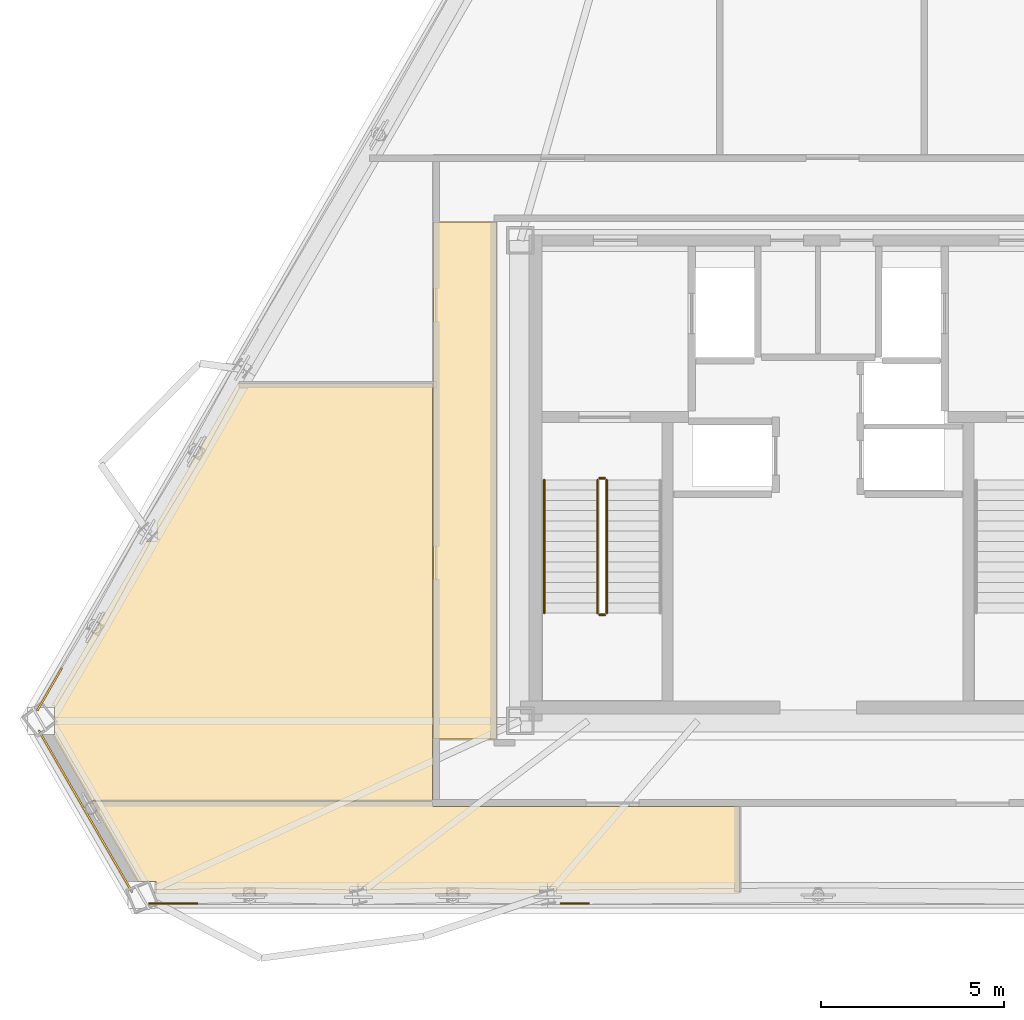
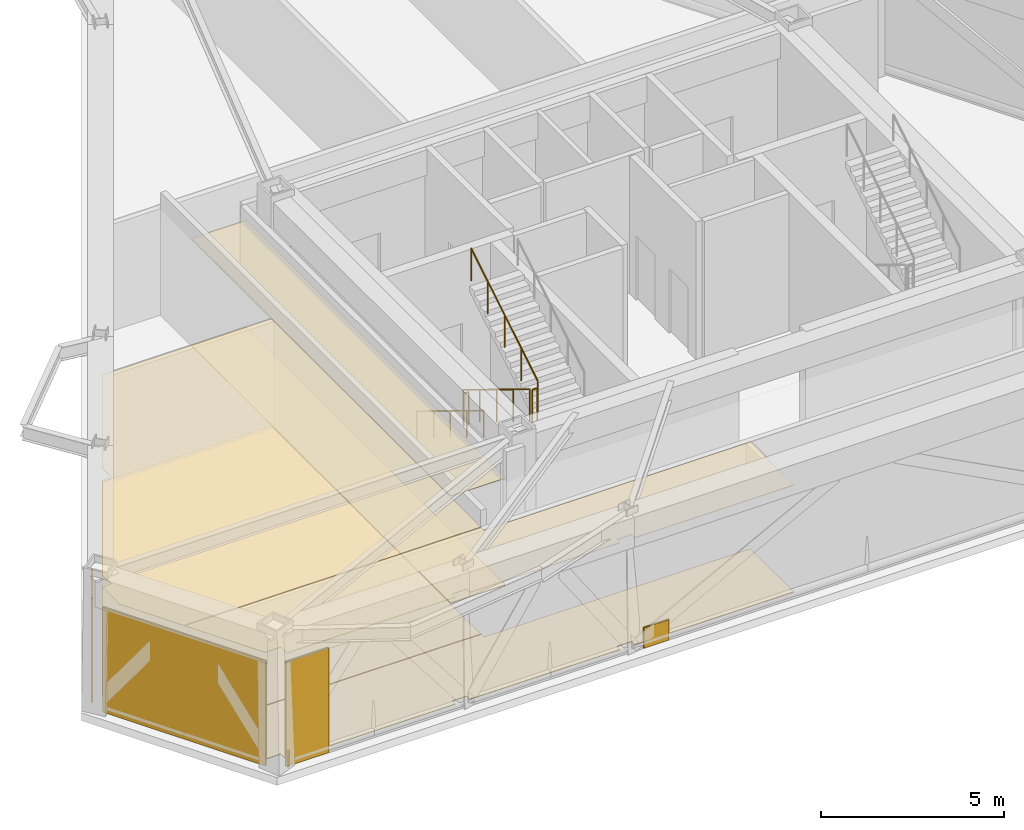
# One storey, part 8 of 10: 10 coverings, 5 railings.
"""IFC4 building model written with IfcOpenShell, lengths in metres."""

from ifc_helpers import new_model, si_unit, direction, frame, origin, origin_2d, place, context, subcontext, project, spatial, polyline, rectangle, circle, outline, extrude, material, layer, layer_set, type_object, element, save


model = new_model("IFC4")

# Units and contexts
model_context = context("Model", 3, precision=1e-05, world=origin(), true_north=direction((0.0, 1.0)))
body_context = subcontext(model_context, "Body", "Model", "MODEL_VIEW")
ifc_project = project(units=[si_unit("LENGTHUNIT", "METRE"), si_unit("AREAUNIT", "SQUARE_METRE"), si_unit("VOLUMEUNIT", "CUBIC_METRE"), si_unit("PLANEANGLEUNIT", "RADIAN"), si_unit("MASSUNIT", "GRAM", prefix="KILO")], contexts=[model_context])

# Site, building, storey
site_placement = place(None, origin())
site = spatial("IfcSite", under=ifc_project, at=site_placement, CompositionType="ELEMENT")
building_placement = place(site_placement, origin())
building = spatial("IfcBuilding", under=site, at=building_placement, Name="Oramaril Tower", CompositionType="ELEMENT")
storey_placement = place(building_placement, frame((0.0, 0.0, 245.10009765625)))
storey = spatial("IfcBuildingStorey", under=building, at=storey_placement, Name="L65", CompositionType="ELEMENT", Elevation=245.10009765625)

# Coverings
ifc_material_1 = material(Name="Mineral Fibre Acoustic Ceiling")
ifc_layer_1 = layer(ifc_material_1, 0.02001953125)
ifc_layer_set_1 = layer_set([ifc_layer_1], Name="CVT-CEIL")
covering_type_1 = type_object("IfcCoveringType", Name="CVT-CEIL", PredefinedType="CEILING", material=ifc_layer_set_1)
covering_1_placement = place(storey_placement, frame((0.0, 0.0, 3.56201171875)))
element("IfcCovering", 1, at=covering_1_placement, inside=storey, type_object=covering_type_1, Name="L65 Acoustic Suspended Ceiling 3", PredefinedType="CEILING", context=body_context, shape_type="SweptSolid", body=[
    extrude(outline(polyline([(28.699951171875, 10.5), (26.969970703125, 10.5), (26.969970703125, 24.64990234375), (28.699951171875, 24.64990234375), (28.699951171875, 10.5)])), origin(), (0.0, 0.0, 1.0), 0.019775390625),
])
covering_2_placement = place(storey_placement, frame((0.0, 0.0, 3.56201171875)))
element("IfcCovering", 2, at=covering_2_placement, inside=storey, type_object=covering_type_1, Name="L65 Acoustic Suspended Ceiling 4", PredefinedType="CEILING", context=body_context, shape_type="SweptSolid", body=[
    extrude(outline(polyline([(35.342041015625, 6.276123046875), (30.319091796875, 6.276123046875), (30.319091796875, 6.449951171875), (29.8701171875, 6.449951171875), (29.8701171875, 6.276123046875), (25.138916015625, 6.276123046875), (25.138916015625, 6.449951171875), (24.6826171875, 6.449951171875), (24.6826171875, 6.276123046875), (19.368896484375, 6.276123046875), (19.368896484375, 6.6005859375), (18.8740234375, 6.6005859375), (17.608642578125, 8.7919921875), (26.949951171875, 8.7919921875), (26.949951171875, 8.669921875), (26.9501953125, 8.66796875), (26.950439453125, 8.666015625), (26.950927734375, 8.664306640625), (26.951416015625, 8.662353515625), (26.952392578125, 8.66064453125), (26.953369140625, 8.658935546875), (26.95458984375, 8.6572265625), (26.955810546875, 8.656005859375), (26.957275390625, 8.654541015625), (26.958984375, 8.6533203125), (26.960693359375, 8.65234375), (26.96240234375, 8.651611328125), (26.964111328125, 8.65087890625), (26.966064453125, 8.650390625), (26.968017578125, 8.650146484375), (26.969970703125, 8.64990234375), (35.342041015625, 8.64990234375), (35.342041015625, 6.276123046875)])), origin(), (0.0, 0.0, 1.0), 0.019775390625),
])
covering_3_placement = place(storey_placement, frame((0.0, 0.0, 3.56201171875)))
element("IfcCovering", 3, at=covering_3_placement, inside=storey, type_object=covering_type_1, Name="L65 Acoustic Suspended Ceiling 6", PredefinedType="CEILING", context=body_context, shape_type="SweptSolid", body=[
    extrude(outline(polyline([(16.552978515625, 10.62060546875), (16.595703125, 10.62060546875), (16.595703125, 11.41357421875), (16.5224609375, 11.41357421875), (19.11572265625, 15.9052734375), (19.4091796875, 15.9052734375), (19.4091796875, 16.39013671875), (19.39599609375, 16.39013671875), (21.61962890625, 20.241943359375), (26.949951171875, 20.241943359375), (26.949951171875, 10.5), (26.9501953125, 10.498046875), (26.950439453125, 10.49609375), (26.950927734375, 10.494140625), (26.951416015625, 10.4921875), (26.952392578125, 10.490478515625), (26.95263671875, 10.489990234375), (26.952392578125, 10.489501953125), (26.951416015625, 10.48779296875), (26.950927734375, 10.48583984375), (26.950439453125, 10.48388671875), (26.9501953125, 10.48193359375), (26.949951171875, 10.47998046875), (26.949951171875, 8.81201171875), (17.608642578125, 8.81201171875), (17.606689453125, 8.81201171875), (17.604736328125, 8.8115234375), (17.602783203125, 8.81103515625), (17.60107421875, 8.810302734375), (17.59912109375, 8.8095703125), (17.598876953125, 8.809326171875), (16.552978515625, 10.62060546875)])), origin(), (0.0, 0.0, 1.0), 0.019775390625),
])
ifc_material_2 = material(Name="Warm Cream Limestone", Category="masonry")
ifc_layer_2 = layer(ifc_material_2, 0.050048828125)
ifc_layer_set_2 = layer_set([ifc_layer_2], Name="CVT-CLD")
covering_type_2 = type_object("IfcCoveringType", Name="CVT-CLD", PredefinedType="CLADDING", material=ifc_layer_set_2)
covering_4_placement = place(storey_placement, frame((17.446044921875, 8.52197265625, 0.0400390625), z_axis=(0.0, 0.0, 1.0), x_axis=(0.499992442484, -0.866029767075, 0.0)))
element("IfcCovering", 4, at=covering_4_placement, inside=storey, type_object=covering_type_2, Name="L65 Warm Cream Limestone Cladding", PredefinedType="CLADDING", context=body_context, shape_type="SweptSolid", body=[
    extrude(rectangle(XDim=5.12939453125, YDim=0.050048828125, at=origin_2d()), origin(), (0.0, 0.0, 1.0), 3.489990234375),
])
covering_5_placement = place(storey_placement, frame((19.848876953125, 6.000244140625, 0.0400390625), z_axis=(0.0, 0.0, 1.0), x_axis=(1.0, 0.0, 0.0)))
element("IfcCovering", 5, at=covering_5_placement, inside=storey, type_object=covering_type_2, Name="L65 Warm Cream Limestone Cladding", PredefinedType="CLADDING", context=body_context, shape_type="SweptSolid", body=[
    extrude(rectangle(XDim=1.35009765625, YDim=0.050048828125, at=origin_2d()), origin(), (0.0, 0.0, 1.0), 3.489990234375),
])
covering_6_placement = place(storey_placement, frame((30.839599609375, 6.000244140625, 0.0400390625), z_axis=(0.0, 0.0, 1.0), x_axis=(1.0, 0.0, 0.0)))
element("IfcCovering", 6, at=covering_6_placement, inside=storey, type_object=covering_type_2, Name="L65 Warm Cream Limestone Spandrel Cladding", PredefinedType="CLADDING", context=body_context, shape_type="SweptSolid", body=[
    extrude(rectangle(XDim=0.800048828125, YDim=0.050048828125, at=origin_2d()), origin(), (0.0, 0.0, 1.0), 0.679931640625),
])
covering_7_placement = place(storey_placement, frame((16.463623046875, 11.863525390625, 0.0400390625), z_axis=(0.0, 0.0, 1.0), x_axis=(-0.5, -0.866025403784, 0.0)))
element("IfcCovering", 7, at=covering_7_placement, inside=storey, type_object=covering_type_2, Name="L65 Warm Cream Limestone Cladding", PredefinedType="CLADDING", context=body_context, shape_type="SweptSolid", body=[
    extrude(rectangle(XDim=1.35009765625, YDim=0.050048828125, at=origin_2d()), origin(), (0.0, 0.0, 1.0), 3.489990234375),
])
ifc_material_3 = material(Name="Honed Quartzite Stone Flooring", Category="masonry")
ifc_layer_3 = layer(ifc_material_3, 0.02490234375)
ifc_layer_set_3 = layer_set([ifc_layer_3], Name="CVT-FLR")
covering_type_3 = type_object("IfcCoveringType", Name="CVT-FLR", PredefinedType="FLOORING", material=ifc_layer_set_3)
covering_8_placement = place(storey_placement, origin())
element("IfcCovering", 8, at=covering_8_placement, inside=storey, type_object=covering_type_3, Name="L65 Honed Stone Floor Finish 3", PredefinedType="FLOORING", context=body_context, shape_type="SweptSolid", body=[
    extrude(outline(polyline([(28.699951171875, 10.5), (26.969970703125, 10.5), (26.969970703125, 24.64990234375), (28.699951171875, 24.64990234375), (28.699951171875, 10.5)])), origin(), (0.0, 0.0, 1.0), 0.02490234375),
])
covering_9_placement = place(storey_placement, origin())
element("IfcCovering", 9, at=covering_9_placement, inside=storey, type_object=covering_type_3, Name="L65 Honed Stone Floor Finish 4", PredefinedType="FLOORING", context=body_context, shape_type="SweptSolid", body=[
    extrude(outline(polyline([(35.342041015625, 6.276123046875), (30.319091796875, 6.276123046875), (30.319091796875, 6.449951171875), (29.8701171875, 6.449951171875), (29.8701171875, 6.276123046875), (25.138916015625, 6.276123046875), (25.138916015625, 6.449951171875), (24.6826171875, 6.449951171875), (24.6826171875, 6.276123046875), (19.368896484375, 6.276123046875), (19.368896484375, 6.6005859375), (18.8740234375, 6.6005859375), (17.608642578125, 8.7919921875), (26.949951171875, 8.7919921875), (26.949951171875, 8.669921875), (26.9501953125, 8.66796875), (26.950439453125, 8.666015625), (26.950927734375, 8.664306640625), (26.951416015625, 8.662353515625), (26.952392578125, 8.66064453125), (26.953369140625, 8.658935546875), (26.95458984375, 8.6572265625), (26.955810546875, 8.656005859375), (26.957275390625, 8.654541015625), (26.958984375, 8.6533203125), (26.960693359375, 8.65234375), (26.96240234375, 8.651611328125), (26.964111328125, 8.65087890625), (26.966064453125, 8.650390625), (26.968017578125, 8.650146484375), (26.969970703125, 8.64990234375), (35.342041015625, 8.64990234375), (35.342041015625, 6.276123046875)])), origin(), (0.0, 0.0, 1.0), 0.02490234375),
])
covering_10_placement = place(storey_placement, origin())
element("IfcCovering", 10, at=covering_10_placement, inside=storey, type_object=covering_type_3, Name="L65 Honed Stone Floor Finish 6", PredefinedType="FLOORING", context=body_context, shape_type="SweptSolid", body=[
    extrude(outline(polyline([(16.552978515625, 10.62060546875), (16.595703125, 10.62060546875), (16.595703125, 11.41357421875), (16.5224609375, 11.41357421875), (19.11572265625, 15.9052734375), (19.4091796875, 15.9052734375), (19.4091796875, 16.39013671875), (19.39599609375, 16.39013671875), (21.61962890625, 20.241943359375), (26.949951171875, 20.241943359375), (26.949951171875, 10.5), (26.9501953125, 10.498046875), (26.950439453125, 10.49609375), (26.950927734375, 10.494140625), (26.951416015625, 10.4921875), (26.952392578125, 10.490478515625), (26.95263671875, 10.489990234375), (26.952392578125, 10.489501953125), (26.951416015625, 10.48779296875), (26.950927734375, 10.48583984375), (26.950439453125, 10.48388671875), (26.9501953125, 10.48193359375), (26.949951171875, 10.47998046875), (26.949951171875, 8.81201171875), (17.608642578125, 8.81201171875), (17.606689453125, 8.81201171875), (17.604736328125, 8.8115234375), (17.602783203125, 8.81103515625), (17.60107421875, 8.810302734375), (17.59912109375, 8.8095703125), (17.598876953125, 8.809326171875), (16.552978515625, 10.62060546875)])), origin(), (0.0, 0.0, 1.0), 0.02490234375),
])

# Railings
ifc_material_4 = material(Name="Stainless Steel 316L", Category="steel")
railing_type_1 = type_object("IfcRailingType", Name="RLT-GRD", PredefinedType="GUARDRAIL", material=ifc_material_4)
railing_1_placement = place(storey_placement, frame((31.4599609375, 17.590087890625, 0.17138671875)))
element("IfcRailing", 11, at=railing_1_placement, inside=storey, type_object=railing_type_1, Name="L65 ST-1 stair guard 1", PredefinedType="GUARDRAIL", context=body_context, shape_type="SweptSolid", body=[
    extrude(circle(Radius=0.02392578125, at=origin_2d()), frame((0.0, 0.0, 1.076171875), z_axis=(0.0, -0.852865859571, 0.52213008492), x_axis=(1.0, 0.0, 0.0)), (0.0, 0.0, 1.0), 4.26806640625),
    extrude(circle(Radius=0.02099609375, at=origin_2d()), origin(), (0.0, 0.0, 1.0), 1.052001953125),
    extrude(circle(Radius=0.02099609375, at=origin_2d()), frame((0.0, -0.91015625, 0.55712890625)), (0.0, 0.0, 1.0), 1.052001953125),
    extrude(circle(Radius=0.02099609375, at=origin_2d()), frame((0.0, -1.820068359375, 1.1142578125)), (0.0, 0.0, 1.0), 1.052001953125),
    extrude(circle(Radius=0.02099609375, at=origin_2d()), frame((0.0, -2.72998046875, 1.67138671875)), (0.0, 0.0, 1.0), 1.052001953125),
    extrude(circle(Radius=0.02099609375, at=origin_2d()), frame((0.0, -3.64013671875, 2.228515625)), (0.0, 0.0, 1.0), 1.052001953125),
])
railing_2_placement = place(storey_placement, frame((31.510009765625, 13.89990234375, 2.39990234375)))
element("IfcRailing", 12, at=railing_2_placement, inside=storey, type_object=railing_type_1, Name="L65 ST-1 stair guard 2", PredefinedType="GUARDRAIL", context=body_context, shape_type="SweptSolid", body=[
    extrude(circle(Radius=0.02392578125, at=origin_2d()), frame((0.0, 0.0, 1.076171875), z_axis=(1.0, 0.0, 0.0), x_axis=(0.0, 1.0, 0.0)), (0.0, 0.0, 1.0), 0.14990234375),
    extrude(circle(Radius=0.02099609375, at=origin_2d()), origin(), (0.0, 0.0, 1.0), 1.052001953125),
    extrude(circle(Radius=0.02099609375, at=origin_2d()), frame((0.14990234375, 0.0, 0.0)), (0.0, 0.0, 1.0), 1.052001953125),
])
railing_3_placement = place(storey_placement, frame((31.7099609375, 13.949951171875, 2.5712890625)))
element("IfcRailing", 13, at=railing_3_placement, inside=storey, type_object=railing_type_1, Name="L65 ST-1 stair guard 3", PredefinedType="GUARDRAIL", context=body_context, shape_type="SweptSolid", body=[
    extrude(circle(Radius=0.02392578125, at=origin_2d()), frame((0.0, 0.0, 1.076171875), z_axis=(0.0, 0.852865859571, 0.52213008492), x_axis=(-1.0, 0.0, 0.0)), (0.0, 0.0, 1.0), 4.26806640625),
    extrude(circle(Radius=0.02099609375, at=origin_2d()), origin(), (0.0, 0.0, 1.0), 1.052001953125),
    extrude(circle(Radius=0.02099609375, at=origin_2d()), frame((0.0, 0.91015625, 0.55712890625)), (0.0, 0.0, 1.0), 1.052001953125),
    extrude(circle(Radius=0.02099609375, at=origin_2d()), frame((0.0, 1.820068359375, 1.1142578125)), (0.0, 0.0, 1.0), 1.052001953125),
    extrude(circle(Radius=0.02099609375, at=origin_2d()), frame((0.0, 2.72998046875, 1.67138671875)), (0.0, 0.0, 1.0), 1.052001953125),
    extrude(circle(Radius=0.02099609375, at=origin_2d()), frame((0.0, 3.64013671875, 2.228515625)), (0.0, 0.0, 1.0), 1.052001953125),
])
railing_4_placement = place(storey_placement, frame((31.510009765625, 17.639892578125, 0.0)))
element("IfcRailing", 14, at=railing_4_placement, inside=storey, type_object=railing_type_1, Name="L65 ST-1 stair guard 4", PredefinedType="GUARDRAIL", context=body_context, shape_type="SweptSolid", body=[
    extrude(circle(Radius=0.02392578125, at=origin_2d()), frame((0.0, 0.0, 1.076171875), z_axis=(1.0, 0.0, 0.0), x_axis=(0.0, 1.0, 0.0)), (0.0, 0.0, 1.0), 0.14990234375),
    extrude(circle(Radius=0.02099609375, at=origin_2d()), origin(), (0.0, 0.0, 1.0), 1.052001953125),
    extrude(circle(Radius=0.02099609375, at=origin_2d()), frame((0.14990234375, 0.0, 0.0)), (0.0, 0.0, 1.0), 1.052001953125),
])
ifc_material_5 = material(Name="Stainless Steel 316L", Category="steel")
railing_type_2 = type_object("IfcRailingType", Name="RLT-HND", PredefinedType="HANDRAIL", material=ifc_material_5)
railing_5_placement = place(storey_placement, frame((30.0, 17.590087890625, 0.17138671875)))
element("IfcRailing", 15, at=railing_5_placement, inside=storey, type_object=railing_type_2, Name="L65 ST-1 stair handrail 1", PredefinedType="HANDRAIL", context=body_context, shape_type="SweptSolid", body=[
    extrude(circle(Radius=0.02392578125, at=origin_2d()), frame((0.0, 0.0, 0.8759765625), z_axis=(0.0, -0.852865859571, 0.52213008492), x_axis=(1.0, 0.0, 0.0)), (0.0, 0.0, 1.0), 4.26806640625),
    extrude(circle(Radius=0.02099609375, at=origin_2d()), origin(), (0.0, 0.0, 1.0), 0.851806640625),
    extrude(circle(Radius=0.02099609375, at=origin_2d()), frame((0.0, -0.91015625, 0.55712890625)), (0.0, 0.0, 1.0), 0.851806640625),
    extrude(circle(Radius=0.02099609375, at=origin_2d()), frame((0.0, -1.820068359375, 1.1142578125)), (0.0, 0.0, 1.0), 0.851806640625),
    extrude(circle(Radius=0.02099609375, at=origin_2d()), frame((0.0, -2.72998046875, 1.67138671875)), (0.0, 0.0, 1.0), 0.851806640625),
    extrude(circle(Radius=0.02099609375, at=origin_2d()), frame((0.0, -3.64013671875, 2.228515625)), (0.0, 0.0, 1.0), 0.851806640625),
])

save(model, "model.ifc")
